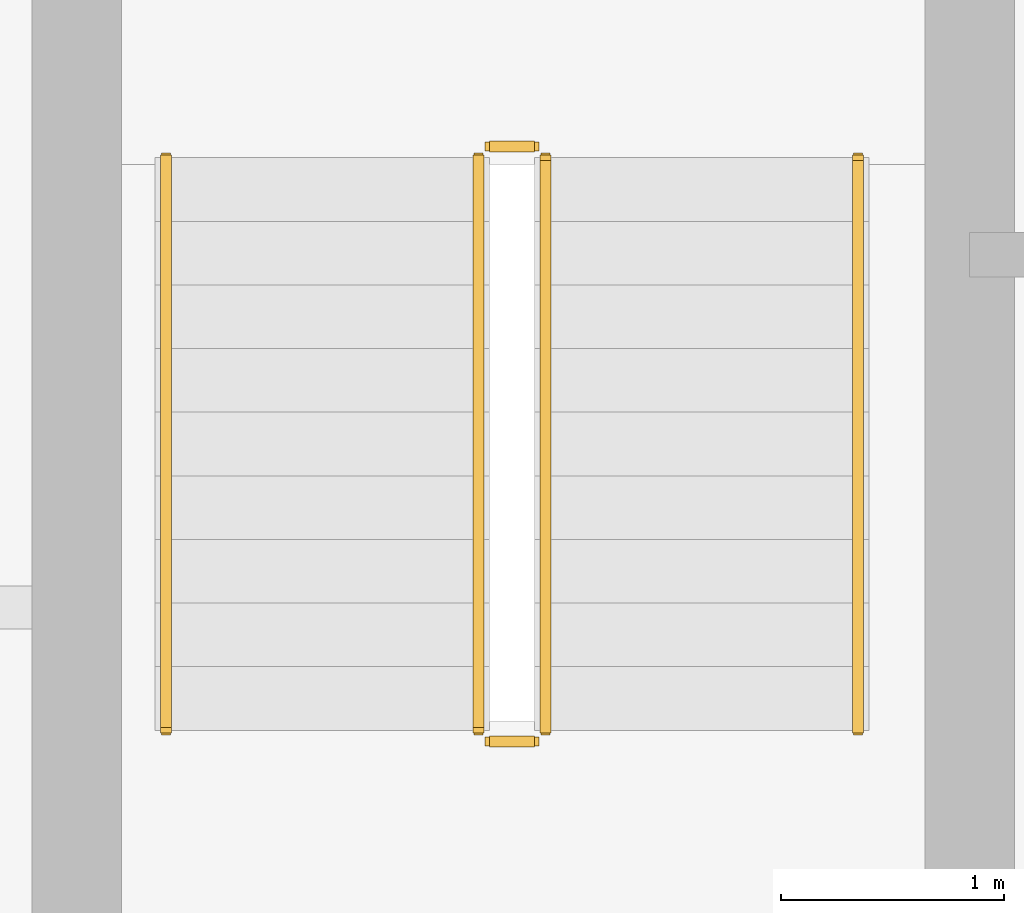
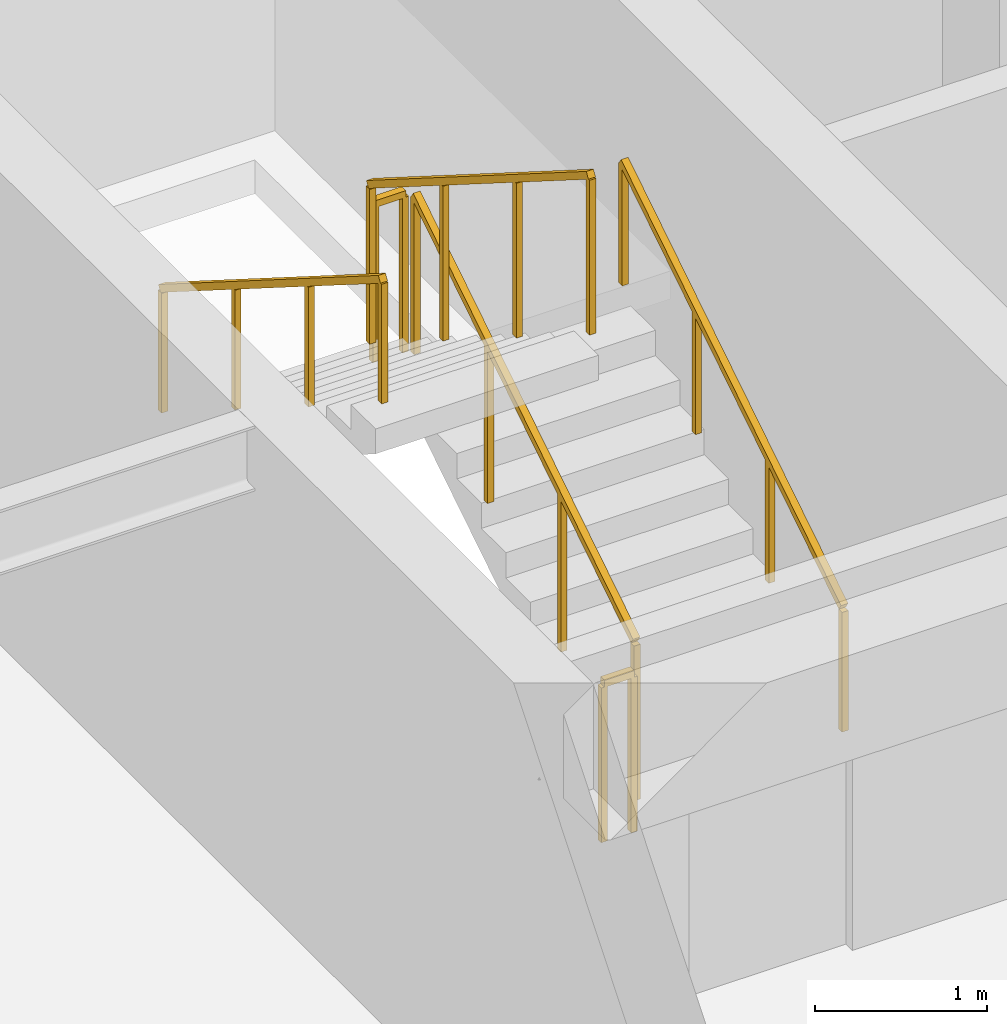
# One storey, part 21 of 23: 6 railings.
"""IFC4 building model written with IfcOpenShell, lengths in metres."""

from ifc_helpers import new_model, si_unit, direction, frame, origin, origin_2d, place, context, subcontext, project, spatial, rectangle, extrude, material, type_object, element, save


model = new_model("IFC4")

# Units and contexts
model_context = context("Model", 3, precision=1e-05, world=origin(), true_north=direction((0.0, 1.0)))
body_context = subcontext(model_context, "Body", "Model", "MODEL_VIEW")
ifc_project = project(units=[si_unit("LENGTHUNIT", "METRE"), si_unit("AREAUNIT", "SQUARE_METRE"), si_unit("VOLUMEUNIT", "CUBIC_METRE"), si_unit("PLANEANGLEUNIT", "RADIAN"), si_unit("MASSUNIT", "GRAM", prefix="KILO")], contexts=[model_context])

# Site, building, storey
site_placement = place(None, origin())
site = spatial("IfcSite", under=ifc_project, at=site_placement, CompositionType="ELEMENT")
building_placement = place(site_placement, origin())
building = spatial("IfcBuilding", under=site, at=building_placement, Name="Sarneth Arch Tower", CompositionType="ELEMENT")
storey_placement = place(building_placement, frame((0.0, 0.0, 228.0)))
storey = spatial("IfcBuildingStorey", under=building, at=storey_placement, Name="L58", CompositionType="ELEMENT", Elevation=228.0)

# Railings
ifc_material_1 = material(Name="Brushed Stainless Steel 304 tubular handrail", Category="steel")
railing_type_1 = type_object("IfcRailingType", Name="RAIL-HANDRAIL-900", PredefinedType="HANDRAIL", material=ifc_material_1)
railing_1_placement = place(storey_placement, frame((40.5, 41.449951171875, 0.179931640625)))
element("IfcRailing", 1, at=railing_1_placement, inside=storey, type_object=railing_type_1, Name="L58 ST-1 stair handrail 1", PredefinedType="HANDRAIL", context=body_context, shape_type="SweptSolid", body=[
    extrude(rectangle(XDim=0.048095703125, YDim=0.048095703125, at=origin_2d()), frame((0.0, 0.0, 0.8759765625), z_axis=(0.0, 0.845465955043, 0.534029323973), x_axis=(-1.0, 0.0, 0.0)), (0.0, 0.0, 1.0), 3.03369140625),
    extrude(rectangle(XDim=0.0419921875, YDim=0.0419921875, at=origin_2d()), origin(), (0.0, 0.0, 1.0), 0.851806640625),
    extrude(rectangle(XDim=0.0419921875, YDim=0.0419921875, at=origin_2d()), frame((0.0, 0.85498046875, 0.5400390625)), (0.0, 0.0, 1.0), 0.851806640625),
    extrude(rectangle(XDim=0.0419921875, YDim=0.0419921875, at=origin_2d()), frame((0.0, 1.7099609375, 1.080078125)), (0.0, 0.0, 1.0), 0.851806640625),
    extrude(rectangle(XDim=0.0419921875, YDim=0.0419921875, at=origin_2d()), frame((0.0, 2.56494140625, 1.6201171875)), (0.0, 0.0, 1.0), 0.851806640625),
])
railing_2_placement = place(storey_placement, frame((37.39990234375, 44.014892578125, 1.97998046875)))
element("IfcRailing", 2, at=railing_2_placement, inside=storey, type_object=railing_type_1, Name="L58 ST-1 stair handrail 2", PredefinedType="HANDRAIL", context=body_context, shape_type="SweptSolid", body=[
    extrude(rectangle(XDim=0.048095703125, YDim=0.048095703125, at=origin_2d()), frame((0.0, 0.0, 0.8759765625), z_axis=(0.0, -0.845465955043, 0.534029323973), x_axis=(1.0, 0.0, 0.0)), (0.0, 0.0, 1.0), 3.03369140625),
    extrude(rectangle(XDim=0.0419921875, YDim=0.0419921875, at=origin_2d()), origin(), (0.0, 0.0, 1.0), 0.851806640625),
    extrude(rectangle(XDim=0.0419921875, YDim=0.0419921875, at=origin_2d()), frame((0.0, -0.85498046875, 0.5400390625)), (0.0, 0.0, 1.0), 0.851806640625),
    extrude(rectangle(XDim=0.0419921875, YDim=0.0419921875, at=origin_2d()), frame((0.0, -1.7099609375, 1.080078125)), (0.0, 0.0, 1.0), 0.851806640625),
    extrude(rectangle(XDim=0.0419921875, YDim=0.0419921875, at=origin_2d()), frame((0.0, -2.56494140625, 1.6201171875)), (0.0, 0.0, 1.0), 0.851806640625),
])
ifc_material_2 = material(Name="Painted Steel S275 stair well guard", Category="steel")
railing_type_2 = type_object("IfcRailingType", Name="RAIL-STAIR-GUARD", PredefinedType="GUARDRAIL", material=ifc_material_2)
railing_3_placement = place(storey_placement, frame((39.10009765625, 41.449951171875, 0.179931640625)))
element("IfcRailing", 3, at=railing_3_placement, inside=storey, type_object=railing_type_2, Name="L58 ST-1 stair guard 1", PredefinedType="GUARDRAIL", context=body_context, shape_type="SweptSolid", body=[
    extrude(rectangle(XDim=0.048095703125, YDim=0.048095703125, at=origin_2d()), frame((0.0, 0.0, 1.1259765625), z_axis=(0.0, 0.845465955043, 0.534029323973), x_axis=(-1.0, 0.0, 0.0)), (0.0, 0.0, 1.0), 3.03369140625),
    extrude(rectangle(XDim=0.0419921875, YDim=0.0419921875, at=origin_2d()), origin(), (0.0, 0.0, 1.0), 1.101806640625),
    extrude(rectangle(XDim=0.0419921875, YDim=0.0419921875, at=origin_2d()), frame((0.0, 0.85498046875, 0.5400390625)), (0.0, 0.0, 1.0), 1.101806640625),
    extrude(rectangle(XDim=0.0419921875, YDim=0.0419921875, at=origin_2d()), frame((0.0, 1.7099609375, 1.080078125)), (0.0, 0.0, 1.0), 1.101806640625),
    extrude(rectangle(XDim=0.0419921875, YDim=0.0419921875, at=origin_2d()), frame((0.0, 2.56494140625, 1.6201171875)), (0.0, 0.0, 1.0), 1.101806640625),
])
railing_4_placement = place(storey_placement, frame((39.050048828125, 44.06494140625, 1.800048828125)))
element("IfcRailing", 4, at=railing_4_placement, inside=storey, type_object=railing_type_2, Name="L58 ST-1 stair guard 2", PredefinedType="GUARDRAIL", context=body_context, shape_type="SweptSolid", body=[
    extrude(rectangle(XDim=0.048095703125, YDim=0.048095703125, at=origin_2d()), frame((0.0, 0.0, 1.1259765625), z_axis=(-1.0, 0.0, 0.0), x_axis=(0.0, -1.0, 0.0)), (0.0, 0.0, 1.0), 0.199951171875),
    extrude(rectangle(XDim=0.0419921875, YDim=0.0419921875, at=origin_2d()), origin(), (0.0, 0.0, 1.0), 1.101806640625),
    extrude(rectangle(XDim=0.0419921875, YDim=0.0419921875, at=origin_2d()), frame((-0.199951171875, 0.0, 0.0)), (0.0, 0.0, 1.0), 1.101806640625),
])
railing_5_placement = place(storey_placement, frame((38.800048828125, 44.014892578125, 1.97998046875)))
element("IfcRailing", 5, at=railing_5_placement, inside=storey, type_object=railing_type_2, Name="L58 ST-1 stair guard 3", PredefinedType="GUARDRAIL", context=body_context, shape_type="SweptSolid", body=[
    extrude(rectangle(XDim=0.048095703125, YDim=0.048095703125, at=origin_2d()), frame((0.0, 0.0, 1.1259765625), z_axis=(0.0, -0.845465955043, 0.534029323973), x_axis=(1.0, 0.0, 0.0)), (0.0, 0.0, 1.0), 3.03369140625),
    extrude(rectangle(XDim=0.0419921875, YDim=0.0419921875, at=origin_2d()), origin(), (0.0, 0.0, 1.0), 1.101806640625),
    extrude(rectangle(XDim=0.0419921875, YDim=0.0419921875, at=origin_2d()), frame((0.0, -0.85498046875, 0.5400390625)), (0.0, 0.0, 1.0), 1.101806640625),
    extrude(rectangle(XDim=0.0419921875, YDim=0.0419921875, at=origin_2d()), frame((0.0, -1.7099609375, 1.080078125)), (0.0, 0.0, 1.0), 1.101806640625),
    extrude(rectangle(XDim=0.0419921875, YDim=0.0419921875, at=origin_2d()), frame((0.0, -2.56494140625, 1.6201171875)), (0.0, 0.0, 1.0), 1.101806640625),
])
railing_6_placement = place(storey_placement, frame((39.050048828125, 41.39990234375, 0.0)))
element("IfcRailing", 6, at=railing_6_placement, inside=storey, type_object=railing_type_2, Name="L58 ST-1 stair guard 4", PredefinedType="GUARDRAIL", context=body_context, shape_type="SweptSolid", body=[
    extrude(rectangle(XDim=0.048095703125, YDim=0.048095703125, at=origin_2d()), frame((0.0, 0.0, 1.1259765625), z_axis=(-1.0, 0.0, 0.0), x_axis=(0.0, -1.0, 0.0)), (0.0, 0.0, 1.0), 0.199951171875),
    extrude(rectangle(XDim=0.0419921875, YDim=0.0419921875, at=origin_2d()), origin(), (0.0, 0.0, 1.0), 1.101806640625),
    extrude(rectangle(XDim=0.0419921875, YDim=0.0419921875, at=origin_2d()), frame((-0.199951171875, 0.0, 0.0)), (0.0, 0.0, 1.0), 1.101806640625),
])

save(model, "model.ifc")
